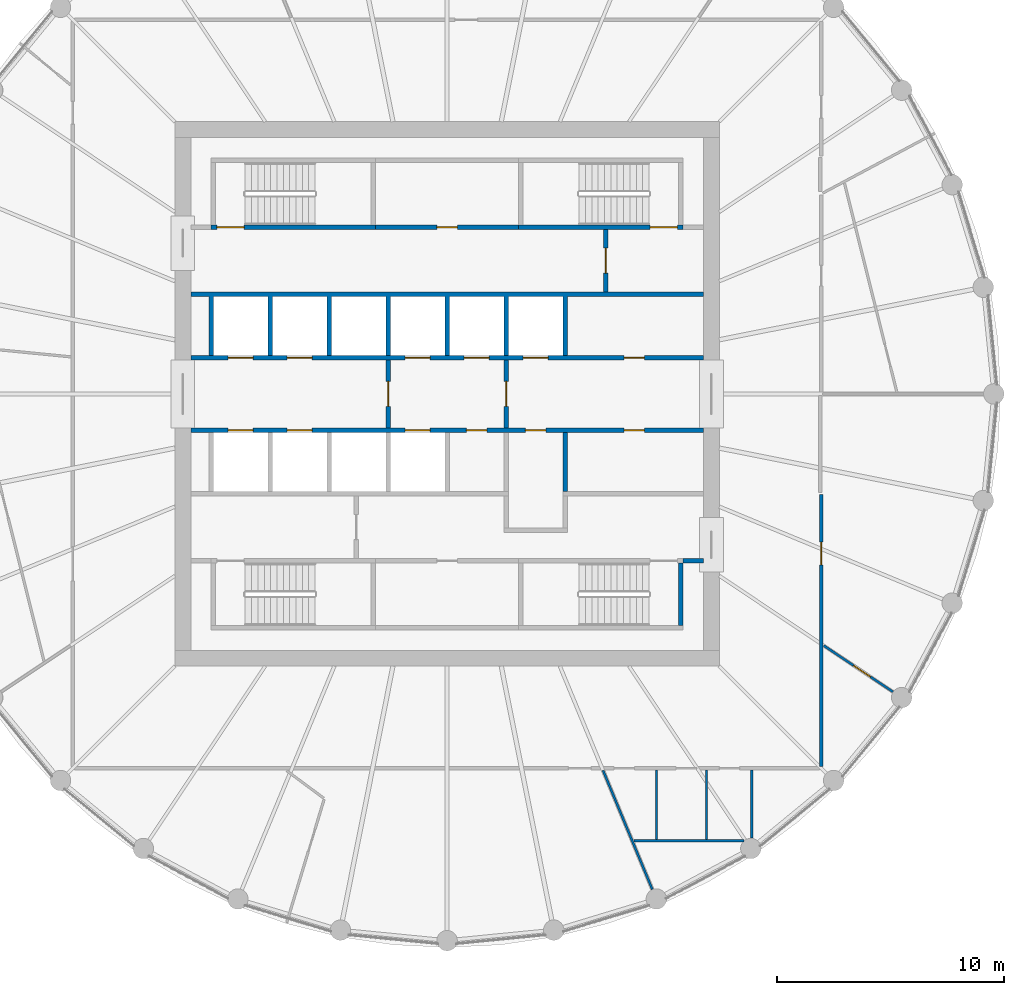
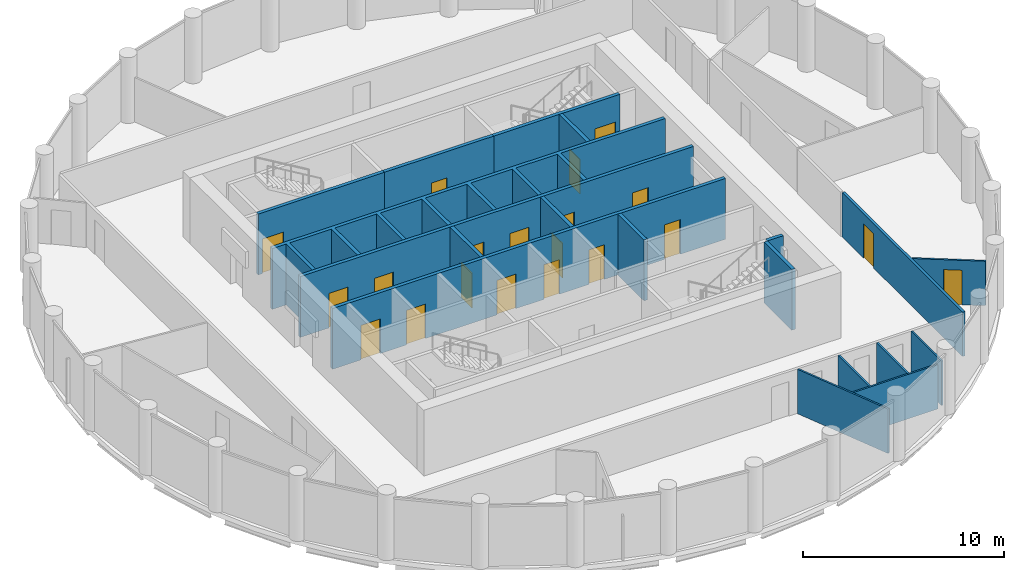
# One storey, part 5 of 7: 20 doors, 19 walls, 20 openings.
"""IFC4 building model written with IfcOpenShell, lengths in metres."""

import ifcopenshell
import ifcopenshell.guid

model = None  # the IFC model being written
_history = None  # IfcOwnerHistory: only IFC2X3 demands one
_inside = {}  # id of a spatial element -> (the spatial element, [elements in it])
_under = {}  # id of a project, library or spatial element -> (it, [spatial elements below it])
_declared = {}  # id of a project -> (the project, [libraries it declares])
_typed = {}  # id of a type object -> (the type object, [elements of that type])
_made_of = {}  # id of a material, layer set ... -> (it, [elements and type objects made of it])


def new_model(schema):
    """Start an empty IFC model of exactly this schema.

    Asked for "IFC4X3", IfcOpenShell would pick the latest addendum, in which some entities
    have other attributes; the version numbers below select the first issue.
    IFC2X3 requires an IfcOwnerHistory on every rooted entity: one is made here for all.
    """
    global model, _history
    if schema == "IFC4X3":
        model = ifcopenshell.file(schema_version=(4, 3, 0, 0))
    else:
        model = ifcopenshell.file(schema=schema)
    _inside.clear()
    _under.clear()
    _declared.clear()
    _typed.clear()
    _made_of.clear()
    _history = None
    if model.schema == "IFC2X3":
        org = make("IfcOrganization", Name="unknown")
        user = make(
            "IfcPersonAndOrganization",
            ThePerson=make("IfcPerson", FamilyName="unknown"),
            TheOrganization=org,
        )
        app = make(
            "IfcApplication",
            ApplicationDeveloper=org,
            Version="unknown",
            ApplicationFullName="unknown",
            ApplicationIdentifier="unknown",
        )
        _history = make(
            "IfcOwnerHistory",
            OwningUser=user,
            OwningApplication=app,
            ChangeAction="ADDED",
            CreationDate=0,
        )
    return model


def make(cls, **values):
    """One entity of the class cls with the attributes given. An attribute that is None is left unset."""
    return model.create_entity(
        cls, **{name: value for name, value in values.items() if value is not None}
    )


def rooted(cls, **values):
    """An entity with a GlobalId (a new one), such as an element, a storey or a relation."""
    return make(cls, GlobalId=ifcopenshell.guid.new(), OwnerHistory=_history, **values)


def si_unit(unit_type, name, prefix=None):
    """IfcSIUnit, for example si_unit("LENGTHUNIT", "METRE", prefix="MILLI")."""
    return make("IfcSIUnit", UnitType=unit_type, Prefix=prefix, Name=name)


def assignment(units):
    """IfcUnitAssignment: the units of a project."""
    return None if units is None else make("IfcUnitAssignment", Units=units)


def point(xyz):
    """IfcCartesianPoint."""
    return None if xyz is None else make("IfcCartesianPoint", Coordinates=xyz)


def direction(xyz):
    """IfcDirection."""
    return None if xyz is None else make("IfcDirection", DirectionRatios=xyz)


def frame(location, z_axis=None, x_axis=None):
    """IfcAxis2Placement3D, a coordinate frame: its origin and axes. An axis left out is left unset."""
    return make(
        "IfcAxis2Placement3D",
        Location=point(location),
        Axis=direction(z_axis),
        RefDirection=direction(x_axis),
    )


def frame_2d(location, x_axis=None):
    """IfcAxis2Placement2D, a coordinate frame in the plane: its origin and x axis."""
    return make(
        "IfcAxis2Placement2D", Location=point(location), RefDirection=direction(x_axis)
    )


def origin():
    """The frame at (0, 0, 0) with its axes left unset."""
    return frame((0.0, 0.0, 0.0))


def place(relative_to, where):
    """IfcLocalPlacement: puts the frame where relative to a parent placement (None: the world)."""
    return make(
        "IfcLocalPlacement", PlacementRelTo=relative_to, RelativePlacement=where
    )


def context(
    kind, dimensions, precision=None, world=None, true_north=None, identifier=None
):
    """IfcGeometricRepresentationContext, for example the 3D "Model" context."""
    return make(
        "IfcGeometricRepresentationContext",
        ContextIdentifier=identifier,
        ContextType=kind,
        CoordinateSpaceDimension=dimensions,
        Precision=precision,
        WorldCoordinateSystem=world,
        TrueNorth=true_north,
    )


def subcontext(parent, identifier, kind, view, scale=None):
    """IfcGeometricRepresentationSubContext, for example "Body" below "Model"."""
    return make(
        "IfcGeometricRepresentationSubContext",
        ContextIdentifier=identifier,
        ContextType=kind,
        ParentContext=parent,
        TargetScale=scale,
        TargetView=view,
    )


def project(units=None, contexts=None):
    """IfcProject with its units and contexts."""
    return rooted(
        "IfcProject",
        Name="project",
        RepresentationContexts=contexts,
        UnitsInContext=assignment(units),
    )


def spatial(cls, under=None, at=None, **own):
    """A site, building, storey or space (cls), placed at a placement, below another one or the project."""
    s = rooted(cls, ObjectPlacement=at, **own)
    if under is not None:
        _under.setdefault(under.id(), (under, []))[1].append(s)
    return s


def polyline(points):
    """IfcPolyline through the points."""
    return make("IfcPolyline", Points=[point(p) for p in points])


def profile(cls, at=None, kind="AREA", **sizes):
    """A parametric profile (cls). Its sizes go by their IFC names, for example OverallWidth=200.0."""
    return make(cls, ProfileType=kind, Position=at, **sizes)


def rectangle(**sizes):
    """IfcRectangleProfileDef."""
    return profile("IfcRectangleProfileDef", **sizes)


def outline(outer, holes=None, kind="AREA"):
    """IfcArbitraryClosedProfileDef: a profile drawn as a closed curve; with holes, ...WithVoids."""
    if holes is None:
        return make("IfcArbitraryClosedProfileDef", ProfileType=kind, OuterCurve=outer)
    return make(
        "IfcArbitraryProfileDefWithVoids",
        ProfileType=kind,
        OuterCurve=outer,
        InnerCurves=holes,
    )


def extrude(swept, where, along, depth):
    """IfcExtrudedAreaSolid: the profile swept, set in the frame where, extruded along a direction by depth."""
    return make(
        "IfcExtrudedAreaSolid",
        SweptArea=swept,
        Position=where,
        ExtrudedDirection=direction(along),
        Depth=depth,
    )


def shape(context_of_items, identifier, shape_type, items):
    """IfcShapeRepresentation: the items that make up one representation, for example the "Body"."""
    return make(
        "IfcShapeRepresentation",
        ContextOfItems=context_of_items,
        RepresentationIdentifier=identifier,
        RepresentationType=shape_type,
        Items=items,
    )


def material(Name=None, Category=None):
    """IfcMaterial."""
    return make("IfcMaterial", Name=Name, Category=Category)


def layer(
    of_material, thickness, ventilated=None, Name=None, Category=None, Priority=None
):
    """IfcMaterialLayer: one layer of a wall or slab, of a material (None: an air gap)."""
    return make(
        "IfcMaterialLayer",
        Material=of_material,
        LayerThickness=thickness,
        IsVentilated=ventilated,
        Name=Name,
        Category=Category,
        Priority=Priority,
    )


def layer_set(layers, Name=None):
    """IfcMaterialLayerSet."""
    return make("IfcMaterialLayerSet", MaterialLayers=layers, LayerSetName=Name)


def made_of(thing, what):
    """Note that an element or type object is made of a material, layer set ...; save() writes the relation."""
    if what is not None:
        _made_of.setdefault(what.id(), (what, []))[1].append(thing)
    return thing


def type_object(cls, material=None, **own):
    """A type object (cls), such as IfcWallType, which elements share."""
    return made_of(rooted(cls, **own), material)


def element(
    cls,
    number,
    at=None,
    inside=None,
    cuts=None,
    type_object=None,
    material=None,
    context=None,
    identifier="Body",
    shape_type=None,
    held_by="IfcProductDefinitionShape",
    body=None,
    shapes=None,
    **own,
):
    """One element of the class cls, such as IfcWall. Its Tag is "e" and its number.

    at: its placement. inside: the storey or other place that contains it. cuts: it is an
    opening in that element (IfcRelVoidsElement). A single representation is given by context,
    identifier, shape_type and body (its items); several are given by shapes. held_by: the class
    of the entity that holds the representations. save() writes the other relations.
    """
    e = rooted(cls, Tag="e%d" % number, ObjectPlacement=at, **own)
    if body is not None:
        shapes = [shape(context, identifier, shape_type, body)]
    if shapes is not None:
        e.Representation = make(held_by, Representations=shapes)
    if inside is not None:
        _inside.setdefault(inside.id(), (inside, []))[1].append(e)
    if cuts is not None:
        rooted(
            "IfcRelVoidsElement", RelatingBuildingElement=cuts, RelatedOpeningElement=e
        )
    if type_object is not None:
        _typed.setdefault(type_object.id(), (type_object, []))[1].append(e)
    return made_of(e, material)


def fill(opening, filler):
    """IfcRelFillsElement: the door or window that sits in an opening."""
    return rooted(
        "IfcRelFillsElement",
        RelatingOpeningElement=opening,
        RelatedBuildingElement=filler,
    )


def aggregate(whole, parts):
    """IfcRelAggregates: a whole, such as a stair, and the parts it consists of."""
    return rooted("IfcRelAggregates", RelatingObject=whole, RelatedObjects=parts)


def save(model, path):
    """Write the relations noted so far, then the file.

    IfcRelAggregates (storeys below a building ...), IfcRelContainedInSpatialStructure (elements
    in a storey), IfcRelDefinesByType, IfcRelAssociatesMaterial and IfcRelDeclares: one each for
    every whole, place, type object, material and project.
    """
    for whole, parts in _under.values():
        aggregate(whole, parts)
    for where, things in _inside.values():
        rooted(
            "IfcRelContainedInSpatialStructure",
            RelatedElements=things,
            RelatingStructure=where,
        )
    for kind, things in _typed.values():
        rooted("IfcRelDefinesByType", RelatedObjects=things, RelatingType=kind)
    for what, things in _made_of.values():
        rooted("IfcRelAssociatesMaterial", RelatedObjects=things, RelatingMaterial=what)
    for by, libraries in _declared.values():
        rooted("IfcRelDeclares", RelatingContext=by, RelatedDefinitions=libraries)
    model.write(path)


model = new_model("IFC4")

# Units and contexts
model_context = context("Model", 3, precision=1e-05, world=origin(), true_north=direction((0.0, 1.0)))
body_context = subcontext(model_context, "Body", "Model", "MODEL_VIEW")
ifc_project = project(units=[si_unit("LENGTHUNIT", "METRE"), si_unit("AREAUNIT", "SQUARE_METRE"), si_unit("VOLUMEUNIT", "CUBIC_METRE"), si_unit("PLANEANGLEUNIT", "RADIAN"), si_unit("MASSUNIT", "GRAM", prefix="KILO")], contexts=[model_context])

# Site, building, storey
site_placement = place(None, origin())
site = spatial("IfcSite", under=ifc_project, at=site_placement, CompositionType="ELEMENT")
building_placement = place(site_placement, origin())
building = spatial("IfcBuilding", under=site, at=building_placement, Name="Corvane Civic Tower", CompositionType="ELEMENT")
storey_placement = place(building_placement, frame((0.0, 0.0, 267.0)))
storey = spatial("IfcBuildingStorey", under=building, at=storey_placement, Name="L63", CompositionType="ELEMENT", Elevation=267.0)

# Wall, openings, doors
ifc_material_1 = material(Name="Concrete C30/37", Category="concrete")
ifc_layer_1 = layer(ifc_material_1, 0.199951171875)
ifc_layer_set_1 = layer_set([ifc_layer_1], Name="Concrete C30/37")
wall_type_1 = type_object("IfcWallType", Name="CR-WALL-200", PredefinedType="PARTITIONING", material=ifc_layer_set_1)
wall_1_placement = place(storey_placement, frame((-11.300048828125, -1.60009765625, 0.0), z_axis=(0.0, 0.0, 1.0), x_axis=(1.0, 0.0, 0.0)))
wall_1 = element("IfcWall", 1, at=wall_1_placement, inside=storey, type_object=wall_type_1, Name="L63 lift shaft wall", PredefinedType="PARTITIONING", context=body_context, shape_type="SweptSolid", body=[
    extrude(rectangle(XDim=22.60009765625, YDim=0.199951171875, at=frame_2d((11.300048828125, 0.0))), origin(), (0.0, 0.0, 1.0), 3.699951171875),
])
opening_1_placement = place(wall_1_placement, frame((1.64990234375, 0.0, 0.0)))
opening_1 = element("IfcOpeningElement", 2, at=opening_1_placement, cuts=wall_1, Name="Opening LD", PredefinedType="OPENING", context=body_context, shape_type="SweptSolid", body=[
    extrude(rectangle(XDim=1.10009765625, YDim=2.10009765625, at=frame_2d((0.550048828125, 1.050048828125))), frame((0.0, 0.10986328125, 0.0), z_axis=(0.0, -1.0, 0.0), x_axis=(1.0, 0.0, 0.0)), (0.0, 0.0, 1.0), 0.219970703125),
])
opening_2_placement = place(wall_1_placement, frame((4.25, 0.0, 0.0)))
opening_2 = element("IfcOpeningElement", 3, at=opening_2_placement, cuts=wall_1, Name="Opening LD", PredefinedType="OPENING", context=body_context, shape_type="SweptSolid", body=[
    extrude(rectangle(XDim=1.10009765625, YDim=2.10009765625, at=frame_2d((0.550048828125, 1.050048828125))), frame((0.0, 0.10986328125, 0.0), z_axis=(0.0, -1.0, 0.0), x_axis=(1.0, 0.0, 0.0)), (0.0, 0.0, 1.0), 0.219970703125),
])
opening_3_placement = place(wall_1_placement, frame((9.449951171875, 0.0, 0.0)))
opening_3 = element("IfcOpeningElement", 4, at=opening_3_placement, cuts=wall_1, Name="Opening LD", PredefinedType="OPENING", context=body_context, shape_type="SweptSolid", body=[
    extrude(rectangle(XDim=1.10009765625, YDim=2.10009765625, at=frame_2d((0.550048828125, 1.050048828125))), frame((0.0, 0.10986328125, 0.0), z_axis=(0.0, -1.0, 0.0), x_axis=(1.0, 0.0, 0.0)), (0.0, 0.0, 1.0), 0.219970703125),
])
opening_4_placement = place(wall_1_placement, frame((12.14990234375, 0.0, 0.0)))
opening_4 = element("IfcOpeningElement", 5, at=opening_4_placement, cuts=wall_1, Name="Opening L63.C02", PredefinedType="OPENING", context=body_context, shape_type="SweptSolid", body=[
    extrude(rectangle(XDim=0.89990234375, YDim=2.10009765625, at=frame_2d((0.449951171875, 1.050048828125))), frame((0.0, 0.10986328125, 0.0), z_axis=(0.0, -1.0, 0.0), x_axis=(1.0, 0.0, 0.0)), (0.0, 0.0, 1.0), 0.219970703125),
])
opening_5_placement = place(wall_1_placement, frame((14.75, 0.0, 0.0)))
opening_5 = element("IfcOpeningElement", 6, at=opening_5_placement, cuts=wall_1, Name="Opening L63.C03", PredefinedType="OPENING", context=body_context, shape_type="SweptSolid", body=[
    extrude(rectangle(XDim=0.89990234375, YDim=2.10009765625, at=frame_2d((0.449951171875, 1.050048828125))), frame((0.0, 0.10986328125, 0.0), z_axis=(0.0, -1.0, 0.0), x_axis=(1.0, 0.0, 0.0)), (0.0, 0.0, 1.0), 0.219970703125),
])
opening_6_placement = place(wall_1_placement, frame((19.10009765625, 0.0, 0.0)))
opening_6 = element("IfcOpeningElement", 7, at=opening_6_placement, cuts=wall_1, Name="Opening L63.C04", PredefinedType="OPENING", context=body_context, shape_type="SweptSolid", body=[
    extrude(rectangle(XDim=0.89990234375, YDim=2.10009765625, at=frame_2d((0.449951171875, 1.050048828125))), frame((0.0, 0.10986328125, 0.0), z_axis=(0.0, -1.0, 0.0), x_axis=(1.0, 0.0, 0.0)), (0.0, 0.0, 1.0), 0.219970703125),
])
ifc_material_2 = material(Name="Steel fire door leaf", Category="steel")
door_type_1 = type_object("IfcDoorType", Name="CR-DOOR-900", OperationType="SINGLE_SWING_LEFT", PredefinedType="DOOR", material=ifc_material_2)
door_1_placement = place(opening_4_placement, origin())
door_1 = element("IfcDoor", 8, at=door_1_placement, inside=storey, type_object=door_type_1, Name="L63 door", OperationType="SINGLE_SWING_LEFT", OverallHeight=2.10009765625, OverallWidth=0.89990234375, PredefinedType="DOOR", context=body_context, shape_type="SweptSolid", body=[
    extrude(rectangle(XDim=0.89990234375, YDim=2.10009765625, at=frame_2d((0.449951171875, 1.050048828125))), frame((0.0, 0.02490234375, 0.0), z_axis=(0.0, -1.0, 0.0), x_axis=(1.0, 0.0, 0.0)), (0.0, 0.0, 1.0), 0.050048828125),
])
fill(opening_4, door_1)
door_2_placement = place(opening_5_placement, origin())
door_2 = element("IfcDoor", 9, at=door_2_placement, inside=storey, type_object=door_type_1, Name="L63 door", OperationType="SINGLE_SWING_LEFT", OverallHeight=2.10009765625, OverallWidth=0.89990234375, PredefinedType="DOOR", context=body_context, shape_type="SweptSolid", body=[
    extrude(rectangle(XDim=0.89990234375, YDim=2.10009765625, at=frame_2d((0.449951171875, 1.050048828125))), frame((0.0, 0.02490234375, 0.0), z_axis=(0.0, -1.0, 0.0), x_axis=(1.0, 0.0, 0.0)), (0.0, 0.0, 1.0), 0.050048828125),
])
fill(opening_5, door_2)
door_3_placement = place(opening_6_placement, origin())
door_3 = element("IfcDoor", 10, at=door_3_placement, inside=storey, type_object=door_type_1, Name="L63 door", OperationType="SINGLE_SWING_LEFT", OverallHeight=2.10009765625, OverallWidth=0.89990234375, PredefinedType="DOOR", context=body_context, shape_type="SweptSolid", body=[
    extrude(rectangle(XDim=0.89990234375, YDim=2.10009765625, at=frame_2d((0.449951171875, 1.050048828125))), frame((0.0, 0.02490234375, 0.0), z_axis=(0.0, -1.0, 0.0), x_axis=(1.0, 0.0, 0.0)), (0.0, 0.0, 1.0), 0.050048828125),
])
fill(opening_6, door_3)
ifc_material_3 = material(Name="Stainless steel 316 door leaves", Category="steel")
door_type_2 = type_object("IfcDoorType", Name="LD", OperationType="DOUBLE_DOOR_SLIDING", PredefinedType="DOOR", material=ifc_material_3)
door_4_placement = place(opening_1_placement, origin())
door_4 = element("IfcDoor", 11, at=door_4_placement, inside=storey, type_object=door_type_2, Name="L63 landing door", OperationType="DOUBLE_DOOR_SLIDING", OverallHeight=2.10009765625, OverallWidth=1.10009765625, PredefinedType="DOOR", context=body_context, shape_type="SweptSolid", body=[
    extrude(rectangle(XDim=1.10009765625, YDim=2.10009765625, at=frame_2d((0.550048828125, 1.050048828125))), frame((0.0, 0.02490234375, 0.0), z_axis=(0.0, -1.0, 0.0), x_axis=(1.0, 0.0, 0.0)), (0.0, 0.0, 1.0), 0.050048828125),
])
fill(opening_1, door_4)
door_5_placement = place(opening_2_placement, origin())
door_5 = element("IfcDoor", 12, at=door_5_placement, inside=storey, type_object=door_type_2, Name="L63 landing door", OperationType="DOUBLE_DOOR_SLIDING", OverallHeight=2.10009765625, OverallWidth=1.10009765625, PredefinedType="DOOR", context=body_context, shape_type="SweptSolid", body=[
    extrude(rectangle(XDim=1.10009765625, YDim=2.10009765625, at=frame_2d((0.550048828125, 1.050048828125))), frame((0.0, 0.02490234375, 0.0), z_axis=(0.0, -1.0, 0.0), x_axis=(1.0, 0.0, 0.0)), (0.0, 0.0, 1.0), 0.050048828125),
])
fill(opening_2, door_5)
door_6_placement = place(opening_3_placement, origin())
door_6 = element("IfcDoor", 13, at=door_6_placement, inside=storey, type_object=door_type_2, Name="L63 landing door", OperationType="DOUBLE_DOOR_SLIDING", OverallHeight=2.10009765625, OverallWidth=1.10009765625, PredefinedType="DOOR", context=body_context, shape_type="SweptSolid", body=[
    extrude(rectangle(XDim=1.10009765625, YDim=2.10009765625, at=frame_2d((0.550048828125, 1.050048828125))), frame((0.0, 0.02490234375, 0.0), z_axis=(0.0, -1.0, 0.0), x_axis=(1.0, 0.0, 0.0)), (0.0, 0.0, 1.0), 0.050048828125),
])
fill(opening_3, door_6)

wall_2_placement = place(storey_placement, frame((-11.300048828125, 1.60009765625, 0.0), z_axis=(0.0, 0.0, 1.0), x_axis=(1.0, 0.0, 0.0)))
wall_2 = element("IfcWall", 14, at=wall_2_placement, inside=storey, type_object=wall_type_1, Name="L63 lift shaft wall", PredefinedType="PARTITIONING", context=body_context, shape_type="SweptSolid", body=[
    extrude(rectangle(XDim=22.60009765625, YDim=0.199951171875, at=frame_2d((11.300048828125, 0.0))), origin(), (0.0, 0.0, 1.0), 3.699951171875),
])
opening_7_placement = place(wall_2_placement, frame((1.64990234375, 0.0, 0.0)))
opening_7 = element("IfcOpeningElement", 15, at=opening_7_placement, cuts=wall_2, Name="Opening LD", PredefinedType="OPENING", context=body_context, shape_type="SweptSolid", body=[
    extrude(rectangle(XDim=1.10009765625, YDim=2.10009765625, at=frame_2d((0.550048828125, 1.050048828125))), frame((0.0, 0.10986328125, 0.0), z_axis=(0.0, -1.0, 0.0), x_axis=(1.0, 0.0, 0.0)), (0.0, 0.0, 1.0), 0.219970703125),
])
opening_8_placement = place(wall_2_placement, frame((4.25, 0.0, 0.0)))
opening_8 = element("IfcOpeningElement", 16, at=opening_8_placement, cuts=wall_2, Name="Opening LD", PredefinedType="OPENING", context=body_context, shape_type="SweptSolid", body=[
    extrude(rectangle(XDim=1.10009765625, YDim=2.10009765625, at=frame_2d((0.550048828125, 1.050048828125))), frame((0.0, 0.10986328125, 0.0), z_axis=(0.0, -1.0, 0.0), x_axis=(1.0, 0.0, 0.0)), (0.0, 0.0, 1.0), 0.219970703125),
])
opening_9_placement = place(wall_2_placement, frame((9.449951171875, 0.0, 0.0)))
opening_9 = element("IfcOpeningElement", 17, at=opening_9_placement, cuts=wall_2, Name="Opening LD", PredefinedType="OPENING", context=body_context, shape_type="SweptSolid", body=[
    extrude(rectangle(XDim=1.10009765625, YDim=2.10009765625, at=frame_2d((0.550048828125, 1.050048828125))), frame((0.0, 0.10986328125, 0.0), z_axis=(0.0, -1.0, 0.0), x_axis=(1.0, 0.0, 0.0)), (0.0, 0.0, 1.0), 0.219970703125),
])
opening_10_placement = place(wall_2_placement, frame((12.050048828125, 0.0, 0.0)))
opening_10 = element("IfcOpeningElement", 18, at=opening_10_placement, cuts=wall_2, Name="Opening LD", PredefinedType="OPENING", context=body_context, shape_type="SweptSolid", body=[
    extrude(rectangle(XDim=1.10009765625, YDim=2.10009765625, at=frame_2d((0.550048828125, 1.050048828125))), frame((0.0, 0.10986328125, 0.0), z_axis=(0.0, -1.0, 0.0), x_axis=(1.0, 0.0, 0.0)), (0.0, 0.0, 1.0), 0.219970703125),
])
opening_11_placement = place(wall_2_placement, frame((14.64990234375, 0.0, 0.0)))
opening_11 = element("IfcOpeningElement", 19, at=opening_11_placement, cuts=wall_2, Name="Opening LD", PredefinedType="OPENING", context=body_context, shape_type="SweptSolid", body=[
    extrude(rectangle(XDim=1.10009765625, YDim=2.10009765625, at=frame_2d((0.550048828125, 1.050048828125))), frame((0.0, 0.10986328125, 0.0), z_axis=(0.0, -1.0, 0.0), x_axis=(1.0, 0.0, 0.0)), (0.0, 0.0, 1.0), 0.219970703125),
])
opening_12_placement = place(wall_2_placement, frame((19.10009765625, 0.0, 0.0)))
opening_12 = element("IfcOpeningElement", 20, at=opening_12_placement, cuts=wall_2, Name="Opening L63.C01", PredefinedType="OPENING", context=body_context, shape_type="SweptSolid", body=[
    extrude(rectangle(XDim=0.89990234375, YDim=2.10009765625, at=frame_2d((0.449951171875, 1.050048828125))), frame((0.0, 0.10986328125, 0.0), z_axis=(0.0, -1.0, 0.0), x_axis=(1.0, 0.0, 0.0)), (0.0, 0.0, 1.0), 0.219970703125),
])
door_7_placement = place(opening_12_placement, origin())
door_7 = element("IfcDoor", 21, at=door_7_placement, inside=storey, type_object=door_type_1, Name="L63 door", OperationType="SINGLE_SWING_LEFT", OverallHeight=2.10009765625, OverallWidth=0.89990234375, PredefinedType="DOOR", context=body_context, shape_type="SweptSolid", body=[
    extrude(rectangle(XDim=0.89990234375, YDim=2.10009765625, at=frame_2d((0.449951171875, 1.050048828125))), frame((0.0, 0.02490234375, 0.0), z_axis=(0.0, -1.0, 0.0), x_axis=(1.0, 0.0, 0.0)), (0.0, 0.0, 1.0), 0.050048828125),
])
fill(opening_12, door_7)
door_8_placement = place(opening_7_placement, origin())
door_8 = element("IfcDoor", 22, at=door_8_placement, inside=storey, type_object=door_type_2, Name="L63 landing door", OperationType="DOUBLE_DOOR_SLIDING", OverallHeight=2.10009765625, OverallWidth=1.10009765625, PredefinedType="DOOR", context=body_context, shape_type="SweptSolid", body=[
    extrude(rectangle(XDim=1.10009765625, YDim=2.10009765625, at=frame_2d((0.550048828125, 1.050048828125))), frame((0.0, 0.02490234375, 0.0), z_axis=(0.0, -1.0, 0.0), x_axis=(1.0, 0.0, 0.0)), (0.0, 0.0, 1.0), 0.050048828125),
])
fill(opening_7, door_8)
door_9_placement = place(opening_8_placement, origin())
door_9 = element("IfcDoor", 23, at=door_9_placement, inside=storey, type_object=door_type_2, Name="L63 landing door", OperationType="DOUBLE_DOOR_SLIDING", OverallHeight=2.10009765625, OverallWidth=1.10009765625, PredefinedType="DOOR", context=body_context, shape_type="SweptSolid", body=[
    extrude(rectangle(XDim=1.10009765625, YDim=2.10009765625, at=frame_2d((0.550048828125, 1.050048828125))), frame((0.0, 0.02490234375, 0.0), z_axis=(0.0, -1.0, 0.0), x_axis=(1.0, 0.0, 0.0)), (0.0, 0.0, 1.0), 0.050048828125),
])
fill(opening_8, door_9)
door_10_placement = place(opening_9_placement, origin())
door_10 = element("IfcDoor", 24, at=door_10_placement, inside=storey, type_object=door_type_2, Name="L63 landing door", OperationType="DOUBLE_DOOR_SLIDING", OverallHeight=2.10009765625, OverallWidth=1.10009765625, PredefinedType="DOOR", context=body_context, shape_type="SweptSolid", body=[
    extrude(rectangle(XDim=1.10009765625, YDim=2.10009765625, at=frame_2d((0.550048828125, 1.050048828125))), frame((0.0, 0.02490234375, 0.0), z_axis=(0.0, -1.0, 0.0), x_axis=(1.0, 0.0, 0.0)), (0.0, 0.0, 1.0), 0.050048828125),
])
fill(opening_9, door_10)
door_11_placement = place(opening_10_placement, origin())
door_11 = element("IfcDoor", 25, at=door_11_placement, inside=storey, type_object=door_type_2, Name="L63 landing door", OperationType="DOUBLE_DOOR_SLIDING", OverallHeight=2.10009765625, OverallWidth=1.10009765625, PredefinedType="DOOR", context=body_context, shape_type="SweptSolid", body=[
    extrude(rectangle(XDim=1.10009765625, YDim=2.10009765625, at=frame_2d((0.550048828125, 1.050048828125))), frame((0.0, 0.02490234375, 0.0), z_axis=(0.0, -1.0, 0.0), x_axis=(1.0, 0.0, 0.0)), (0.0, 0.0, 1.0), 0.050048828125),
])
fill(opening_10, door_11)
door_12_placement = place(opening_11_placement, origin())
door_12 = element("IfcDoor", 26, at=door_12_placement, inside=storey, type_object=door_type_2, Name="L63 landing door", OperationType="DOUBLE_DOOR_SLIDING", OverallHeight=2.10009765625, OverallWidth=1.10009765625, PredefinedType="DOOR", context=body_context, shape_type="SweptSolid", body=[
    extrude(rectangle(XDim=1.10009765625, YDim=2.10009765625, at=frame_2d((0.550048828125, 1.050048828125))), frame((0.0, 0.02490234375, 0.0), z_axis=(0.0, -1.0, 0.0), x_axis=(1.0, 0.0, 0.0)), (0.0, 0.0, 1.0), 0.050048828125),
])
fill(opening_11, door_12)

# Wall, opening, door
wall_3_placement = place(storey_placement, frame((-3.14990234375, 7.35009765625, 0.0), z_axis=(0.0, 0.0, 1.0), x_axis=(1.0, 0.0, 0.0)))
wall_3 = element("IfcWall", 27, at=wall_3_placement, inside=storey, type_object=wall_type_1, Name="L63 core partition wall", PredefinedType="PARTITIONING", context=body_context, shape_type="SweptSolid", body=[
    extrude(rectangle(XDim=6.2998046875, YDim=0.199951171875, at=frame_2d((3.14990234375, 0.0))), origin(), (0.0, 0.0, 1.0), 3.699951171875),
])
opening_13_placement = place(wall_3_placement, frame((2.699951171875, 0.0, 0.0)))
opening_13 = element("IfcOpeningElement", 28, at=opening_13_placement, cuts=wall_3, Name="Opening L63.C05", PredefinedType="OPENING", context=body_context, shape_type="SweptSolid", body=[
    extrude(rectangle(XDim=0.89990234375, YDim=2.10009765625, at=frame_2d((0.449951171875, 1.050048828125))), frame((0.0, 0.10986328125, 0.0), z_axis=(0.0, -1.0, 0.0), x_axis=(1.0, 0.0, 0.0)), (0.0, 0.0, 1.0), 0.219970703125),
])
door_13_placement = place(opening_13_placement, origin())
door_13 = element("IfcDoor", 29, at=door_13_placement, inside=storey, type_object=door_type_1, Name="L63 door", OperationType="SINGLE_SWING_LEFT", OverallHeight=2.10009765625, OverallWidth=0.89990234375, PredefinedType="DOOR", context=body_context, shape_type="SweptSolid", body=[
    extrude(rectangle(XDim=0.89990234375, YDim=2.10009765625, at=frame_2d((0.449951171875, 1.050048828125))), frame((0.0, 0.02490234375, 0.0), z_axis=(0.0, -1.0, 0.0), x_axis=(1.0, 0.0, 0.0)), (0.0, 0.0, 1.0), 0.050048828125),
])
fill(opening_13, door_13)

wall_4_placement = place(storey_placement, frame((-2.60009765625, -1.5, 0.0), z_axis=(0.0, 0.0, 1.0), x_axis=(0.0, 1.0, 0.0)))
wall_4 = element("IfcWall", 30, at=wall_4_placement, inside=storey, type_object=wall_type_1, Name="L63 firefighting lobby wall", PredefinedType="PARTITIONING", context=body_context, shape_type="SweptSolid", body=[
    extrude(rectangle(XDim=3.0, YDim=0.199951171875, at=frame_2d((1.5, 0.0))), origin(), (0.0, 0.0, 1.0), 3.699951171875),
])
opening_14_placement = place(wall_4_placement, frame((0.949951171875, 0.0, 0.0)))
opening_14 = element("IfcOpeningElement", 31, at=opening_14_placement, cuts=wall_4, Name="Opening L63.C11", PredefinedType="OPENING", context=body_context, shape_type="SweptSolid", body=[
    extrude(rectangle(XDim=1.10009765625, YDim=2.10009765625, at=frame_2d((0.550048828125, 1.050048828125))), frame((0.0, 0.10986328125, 0.0), z_axis=(0.0, -1.0, 0.0), x_axis=(1.0, 0.0, 0.0)), (0.0, 0.0, 1.0), 0.219970703125),
])
ifc_material_4 = material(Name="Steel fire door leaf", Category="steel")
door_type_3 = type_object("IfcDoorType", Name="CR-DOOR-FFL-1100", OperationType="SINGLE_SWING_LEFT", PredefinedType="DOOR", material=ifc_material_4)
door_14_placement = place(opening_14_placement, origin())
door_14 = element("IfcDoor", 32, at=door_14_placement, inside=storey, type_object=door_type_3, Name="L63 lobby door", OperationType="SINGLE_SWING_LEFT", OverallHeight=2.10009765625, OverallWidth=1.10009765625, PredefinedType="DOOR", context=body_context, shape_type="SweptSolid", body=[
    extrude(rectangle(XDim=1.10009765625, YDim=2.10009765625, at=frame_2d((0.550048828125, 1.050048828125))), frame((0.0, 0.02490234375, 0.0), z_axis=(0.0, -1.0, 0.0), x_axis=(1.0, 0.0, 0.0)), (0.0, 0.0, 1.0), 0.050048828125),
])
fill(opening_14, door_14)

wall_5_placement = place(storey_placement, frame((2.60009765625, -1.5, 0.0), z_axis=(0.0, 0.0, 1.0), x_axis=(0.0, 1.0, 0.0)))
wall_5 = element("IfcWall", 33, at=wall_5_placement, inside=storey, type_object=wall_type_1, Name="L63 firefighting lobby wall", PredefinedType="PARTITIONING", context=body_context, shape_type="SweptSolid", body=[
    extrude(rectangle(XDim=3.0, YDim=0.199951171875, at=frame_2d((1.5, 0.0))), origin(), (0.0, 0.0, 1.0), 3.699951171875),
])
opening_15_placement = place(wall_5_placement, frame((0.949951171875, 0.0, 0.0)))
opening_15 = element("IfcOpeningElement", 34, at=opening_15_placement, cuts=wall_5, Name="Opening L63.C12", PredefinedType="OPENING", context=body_context, shape_type="SweptSolid", body=[
    extrude(rectangle(XDim=1.10009765625, YDim=2.10009765625, at=frame_2d((0.550048828125, 1.050048828125))), frame((0.0, 0.10986328125, 0.0), z_axis=(0.0, -1.0, 0.0), x_axis=(1.0, 0.0, 0.0)), (0.0, 0.0, 1.0), 0.219970703125),
])
door_15_placement = place(opening_15_placement, origin())
door_15 = element("IfcDoor", 35, at=door_15_placement, inside=storey, type_object=door_type_3, Name="L63 lobby door", OperationType="SINGLE_SWING_LEFT", OverallHeight=2.10009765625, OverallWidth=1.10009765625, PredefinedType="DOOR", context=body_context, shape_type="SweptSolid", body=[
    extrude(rectangle(XDim=1.10009765625, YDim=2.10009765625, at=frame_2d((0.550048828125, 1.050048828125))), frame((0.0, 0.02490234375, 0.0), z_axis=(0.0, -1.0, 0.0), x_axis=(1.0, 0.0, 0.0)), (0.0, 0.0, 1.0), 0.050048828125),
])
fill(opening_15, door_15)

wall_6_placement = place(storey_placement, frame((7.0, 4.5, 0.0), z_axis=(0.0, 0.0, 1.0), x_axis=(0.0, 1.0, 0.0)))
wall_6 = element("IfcWall", 36, at=wall_6_placement, inside=storey, type_object=wall_type_1, Name="L63 core partition wall", PredefinedType="PARTITIONING", context=body_context, shape_type="SweptSolid", body=[
    extrude(rectangle(XDim=2.75, YDim=0.199951171875, at=frame_2d((1.375, 0.0))), origin(), (0.0, 0.0, 1.0), 3.699951171875),
])
opening_16_placement = place(wall_6_placement, frame((0.824951171875, 0.0, 0.0)))
opening_16 = element("IfcOpeningElement", 37, at=opening_16_placement, cuts=wall_6, Name="Opening L63.C13", PredefinedType="OPENING", context=body_context, shape_type="SweptSolid", body=[
    extrude(rectangle(XDim=1.10009765625, YDim=2.10009765625, at=frame_2d((0.550048828125, 1.050048828125))), frame((0.0, 0.10986328125, 0.0), z_axis=(0.0, -1.0, 0.0), x_axis=(1.0, 0.0, 0.0)), (0.0, 0.0, 1.0), 0.219970703125),
])
door_16_placement = place(opening_16_placement, origin())
door_16 = element("IfcDoor", 38, at=door_16_placement, inside=storey, type_object=door_type_3, Name="L63 lobby door", OperationType="SINGLE_SWING_LEFT", OverallHeight=2.10009765625, OverallWidth=1.10009765625, PredefinedType="DOOR", context=body_context, shape_type="SweptSolid", body=[
    extrude(rectangle(XDim=1.10009765625, YDim=2.10009765625, at=frame_2d((0.550048828125, 1.050048828125))), frame((0.0, 0.02490234375, 0.0), z_axis=(0.0, -1.0, 0.0), x_axis=(1.0, 0.0, 0.0)), (0.0, 0.0, 1.0), 0.050048828125),
])
fill(opening_16, door_16)

# Walls
wall_7_placement = place(storey_placement, origin())
element("IfcWall", 39, at=wall_7_placement, inside=storey, type_object=wall_type_1, Name="L63 core partition wall", PredefinedType="PARTITIONING", context=body_context, shape_type="SweptSolid", body=[
    extrude(outline(polyline([(5.300048828125, -1.699951171875), (5.300048828125, -4.2998046875), (5.10009765625, -4.2998046875), (5.10009765625, -1.699951171875), (5.300048828125, -1.699951171875)])), origin(), (0.0, 0.0, 1.0), 3.699951171875),
])
wall_8_placement = place(storey_placement, origin())
element("IfcWall", 40, at=wall_8_placement, inside=storey, type_object=wall_type_1, Name="L63 core partition wall", PredefinedType="PARTITIONING", context=body_context, shape_type="SweptSolid", body=[
    extrude(outline(polyline([(0.10009765625, 1.699951171875), (-0.10009765625, 1.699951171875), (-0.10009765625, 4.300048828125), (-2.5, 4.300048828125), (-2.5, 1.699951171875), (-2.699951171875, 1.699951171875), (-2.699951171875, 4.300048828125), (-5.10009765625, 4.300048828125), (-5.10009765625, 1.699951171875), (-5.300048828125, 1.699951171875), (-5.300048828125, 4.300048828125), (-7.699951171875, 4.300048828125), (-7.699951171875, 1.699951171875), (-7.89990234375, 1.699951171875), (-7.89990234375, 4.300048828125), (-10.300048828125, 4.300048828125), (-10.300048828125, 1.699951171875), (-10.5, 1.699951171875), (-10.5, 4.300048828125), (-11.300048828125, 4.300048828125), (-11.300048828125, 4.5), (11.300048828125, 4.5), (11.300048828125, 4.300048828125), (5.300048828125, 4.300048828125), (5.300048828125, 1.699951171875), (5.10009765625, 1.699951171875), (5.10009765625, 4.300048828125), (2.699951171875, 4.300048828125), (2.699951171875, 1.699951171875), (2.5, 1.699951171875), (2.5, 4.300048828125), (0.10009765625, 4.300048828125), (0.10009765625, 1.699951171875)])), origin(), (0.0, 0.0, 1.0), 3.699951171875),
])
wall_9_placement = place(storey_placement, origin())
element("IfcWall", 41, at=wall_9_placement, inside=storey, type_object=wall_type_1, Name="L63 core partition wall", PredefinedType="PARTITIONING", context=body_context, shape_type="SweptSolid", body=[
    extrude(outline(polyline([(11.300048828125, -7.449951171875), (10.39990234375, -7.449951171875), (10.39990234375, -7.25), (11.300048828125, -7.25), (11.300048828125, -7.449951171875)])), origin(), (0.0, 0.0, 1.0), 3.699951171875),
])
ifc_material_5 = material(Name="Plasterboard")
ifc_layer_2 = layer(ifc_material_5, 0.10009765625)
ifc_layer_set_2 = layer_set([ifc_layer_2], Name="Plasterboard")
wall_type_2 = type_object("IfcWallType", Name="Partition 100 plasterboard on studs", PredefinedType="PARTITIONING", material=ifc_layer_set_2)
wall_10_placement = place(storey_placement, frame((6.87353515625, -16.593994140625, 0.0), z_axis=(0.0, 0.0, 1.0), x_axis=(0.382682139097, -0.9238800682, 0.0)))
element("IfcWall", 42, at=wall_10_placement, inside=storey, type_object=wall_type_2, Name="Partition L63.002", PredefinedType="PARTITIONING", context=body_context, shape_type="SweptSolid", body=[
    extrude(rectangle(XDim=5.6787109375, YDim=0.10009765625, at=frame_2d((2.83935546875, 0.0))), origin(), (0.0, 0.0, 1.0), 2.699951171875),
])
wall_11_placement = place(storey_placement, frame((8.23486328125, -19.699951171875, 0.0), z_axis=(0.0, 0.0, 1.0), x_axis=(1.0, 0.0, 0.0)))
element("IfcWall", 43, at=wall_11_placement, inside=storey, type_object=wall_type_2, Name="Partition L63.003", PredefinedType="PARTITIONING", context=body_context, shape_type="SweptSolid", body=[
    extrude(rectangle(XDim=4.843505859375, YDim=0.10009765625, at=frame_2d((2.421875, 0.0))), origin(), (0.0, 0.0, 1.0), 2.699951171875),
])
for number, where, z_axis, x_axis, name in (
    (44, (9.234619140625, -19.64990234375, 0.0), (0.0, 0.0, 1.0), (0.0, 1.0, 0.0), "Partition L63.004"),
    (45, (11.4345703125, -19.64990234375, 0.0), (0.0, 0.0, 1.0), (0.0, 1.0, 0.0), "Partition L63.005"),
):
    element("IfcWall", number, at=place(storey_placement, frame(where, z_axis=z_axis, x_axis=x_axis)), inside=storey, type_object=wall_type_2, Name=name, PredefinedType="PARTITIONING", context=body_context, shape_type="SweptSolid", body=[
        extrude(rectangle(XDim=3.074951171875, YDim=0.10009765625, at=frame_2d((1.53759765625, 0.0))), origin(), (0.0, 0.0, 1.0), 2.699951171875),
    ])
wall_12_placement = place(storey_placement, frame((13.4345703125, -19.58056640625, 0.0), z_axis=(0.0, 0.0, 1.0), x_axis=(0.0, 1.0, 0.0)))
element("IfcWall", 46, at=wall_12_placement, inside=storey, type_object=wall_type_2, Name="Partition L63.006", PredefinedType="PARTITIONING", context=body_context, shape_type="SweptSolid", body=[
    extrude(rectangle(XDim=3.005615234375, YDim=0.10009765625, at=frame_2d((1.5029296875, 0.0))), origin(), (0.0, 0.0, 1.0), 2.699951171875),
])

# Wall, opening, door
wall_13_placement = place(storey_placement, frame((16.602783203125, -11.093505859375, 0.0), z_axis=(0.0, 0.0, 1.0), x_axis=(0.831477046095, -0.555559107402, 0.0)))
wall_13 = element("IfcWall", 47, at=wall_13_placement, inside=storey, type_object=wall_type_2, Name="Partition L63.012", PredefinedType="PARTITIONING", context=body_context, shape_type="SweptSolid", body=[
    extrude(rectangle(XDim=3.672119140625, YDim=0.10009765625, at=frame_2d((1.8359375, 0.0))), origin(), (0.0, 0.0, 1.0), 2.699951171875),
])
opening_17_placement = place(wall_13_placement, frame((1.5791015625, 0.0, 0.0)))
opening_17 = element("IfcOpeningElement", 48, at=opening_17_placement, cuts=wall_13, Name="Opening L63.010", PredefinedType="OPENING", context=body_context, shape_type="SweptSolid", body=[
    extrude(rectangle(XDim=0.89990234375, YDim=2.10009765625, at=frame_2d((0.449951171875, 1.050048828125))), frame((0.0, 0.06005859375, 0.0), z_axis=(0.0, -1.0, 0.0), x_axis=(1.0, 0.0, 0.0)), (0.0, 0.0, 1.0), 0.1201171875),
])
ifc_material_6 = material(Name="Timber", Category="wood")
door_type_4 = type_object("IfcDoorType", Name="Single door 900", OperationType="NOTDEFINED", PredefinedType="DOOR", material=ifc_material_6)
door_17_placement = place(opening_17_placement, frame((0.89990234375, 0.0, 0.0), z_axis=(0.0, 0.0, 1.0), x_axis=(-1.0, 0.0, 0.0)))
door_17 = element("IfcDoor", 49, at=door_17_placement, inside=storey, type_object=door_type_4, Name="Door L63.010", OperationType="SINGLE_SWING_LEFT", OverallHeight=2.10009765625, OverallWidth=0.89990234375, PredefinedType="DOOR", context=body_context, shape_type="SweptSolid", body=[
    extrude(rectangle(XDim=0.89990234375, YDim=2.10009765625, at=frame_2d((0.449951171875, 1.050048828125))), frame((0.0, 0.02490234375, 0.0), z_axis=(0.0, -1.0, 0.0), x_axis=(1.0, 0.0, 0.0)), (0.0, 0.0, 1.0), 0.050048828125),
])
fill(opening_17, door_17)

ifc_material_7 = material(Name="Concrete C50/60", Category="concrete")
ifc_layer_3 = layer(ifc_material_7, 0.199951171875)
ifc_layer_set_3 = layer_set([ifc_layer_3], Name="Concrete C50/60")
wall_type_3 = type_object("IfcWallType", Name="ST-WALL-200", PredefinedType="SHEAR", material=ifc_layer_set_3)
wall_14_placement = place(storey_placement, frame((-10.39990234375, 7.35009765625, 0.0), z_axis=(0.0, 0.0, 1.0), x_axis=(1.0, 0.0, 0.0)))
wall_14 = element("IfcWall", 50, at=wall_14_placement, inside=storey, type_object=wall_type_3, Name="L63 stair enclosure wall", PredefinedType="SHEAR", context=body_context, shape_type="SweptSolid", body=[
    extrude(rectangle(XDim=7.25, YDim=0.199951171875, at=frame_2d((3.625, 0.0))), origin(), (0.0, 0.0, 1.0), 3.699951171875),
])
opening_18_placement = place(wall_14_placement, frame((0.25, 0.0, 0.0)))
opening_18 = element("IfcOpeningElement", 51, at=opening_18_placement, cuts=wall_14, Name="Opening L63.C08", PredefinedType="OPENING", context=body_context, shape_type="SweptSolid", body=[
    extrude(rectangle(XDim=1.199951171875, YDim=2.10009765625, at=frame_2d((0.60009765625, 1.050048828125))), frame((0.0, 0.10986328125, 0.0), z_axis=(0.0, -1.0, 0.0), x_axis=(1.0, 0.0, 0.0)), (0.0, 0.0, 1.0), 0.219970703125),
])
ifc_material_8 = material(Name="Steel fire door leaf", Category="steel")
door_type_5 = type_object("IfcDoorType", Name="ST-DOOR-1200", OperationType="SINGLE_SWING_RIGHT", PredefinedType="DOOR", material=ifc_material_8)
door_18_placement = place(opening_18_placement, origin())
door_18 = element("IfcDoor", 52, at=door_18_placement, inside=storey, type_object=door_type_5, Name="L63 stair door", OperationType="SINGLE_SWING_RIGHT", OverallHeight=2.10009765625, OverallWidth=1.199951171875, PredefinedType="DOOR", context=body_context, shape_type="SweptSolid", body=[
    extrude(rectangle(XDim=1.199951171875, YDim=2.10009765625, at=frame_2d((0.60009765625, 1.050048828125))), frame((0.0, 0.02490234375, 0.0), z_axis=(0.0, -1.0, 0.0), x_axis=(1.0, 0.0, 0.0)), (0.0, 0.0, 1.0), 0.050048828125),
])
fill(opening_18, door_18)

wall_15_placement = place(storey_placement, frame((3.14990234375, 7.35009765625, 0.0), z_axis=(0.0, 0.0, 1.0), x_axis=(1.0, 0.0, 0.0)))
wall_15 = element("IfcWall", 53, at=wall_15_placement, inside=storey, type_object=wall_type_3, Name="L63 stair enclosure wall", PredefinedType="SHEAR", context=body_context, shape_type="SweptSolid", body=[
    extrude(rectangle(XDim=7.25, YDim=0.199951171875, at=frame_2d((3.625, 0.0))), origin(), (0.0, 0.0, 1.0), 3.699951171875),
])
opening_19_placement = place(wall_15_placement, frame((5.800048828125, 0.0, 0.0)))
opening_19 = element("IfcOpeningElement", 54, at=opening_19_placement, cuts=wall_15, Name="Opening L63.C07", PredefinedType="OPENING", context=body_context, shape_type="SweptSolid", body=[
    extrude(rectangle(XDim=1.199951171875, YDim=2.10009765625, at=frame_2d((0.60009765625, 1.050048828125))), frame((0.0, 0.10986328125, 0.0), z_axis=(0.0, -1.0, 0.0), x_axis=(1.0, 0.0, 0.0)), (0.0, 0.0, 1.0), 0.219970703125),
])
door_19_placement = place(opening_19_placement, origin())
door_19 = element("IfcDoor", 55, at=door_19_placement, inside=storey, type_object=door_type_5, Name="L63 stair door", OperationType="SINGLE_SWING_RIGHT", OverallHeight=2.10009765625, OverallWidth=1.199951171875, PredefinedType="DOOR", context=body_context, shape_type="SweptSolid", body=[
    extrude(rectangle(XDim=1.199951171875, YDim=2.10009765625, at=frame_2d((0.60009765625, 1.050048828125))), frame((0.0, 0.02490234375, 0.0), z_axis=(0.0, -1.0, 0.0), x_axis=(1.0, 0.0, 0.0)), (0.0, 0.0, 1.0), 0.050048828125),
])
fill(opening_19, door_19)

# Wall
wall_16_placement = place(storey_placement, origin())
element("IfcWall", 56, at=wall_16_placement, inside=storey, type_object=wall_type_3, Name="L63 stair enclosure wall", PredefinedType="SHEAR", context=body_context, shape_type="SweptSolid", body=[
    extrude(outline(polyline([(10.39990234375, -7.449951171875), (10.39990234375, -10.199951171875), (10.199951171875, -10.199951171875), (10.199951171875, -7.449951171875), (10.39990234375, -7.449951171875)])), origin(), (0.0, 0.0, 1.0), 3.699951171875),
])

# Wall, opening, door
ifc_material_9 = material(Name="Plasterboard")
ifc_layer_4 = layer(ifc_material_9, 0.14990234375)
ifc_layer_set_4 = layer_set([ifc_layer_4], Name="Plasterboard")
wall_type_4 = type_object("IfcWallType", Name="Tenancy wall 150 EI 60", PredefinedType="PARTITIONING", material=ifc_layer_set_4)
wall_17_placement = place(storey_placement, frame((16.5, -16.425048828125, 0.0), z_axis=(0.0, 0.0, 1.0), x_axis=(0.0, 1.0, 0.0)))
wall_17 = element("IfcWall", 57, at=wall_17_placement, inside=storey, type_object=wall_type_4, Name="Partition L63.010", PredefinedType="PARTITIONING", context=body_context, shape_type="SweptSolid", body=[
    extrude(rectangle(XDim=11.999755859375, YDim=0.14990234375, at=frame_2d((6.0, 0.0))), origin(), (0.0, 0.0, 1.0), 2.699951171875),
])
opening_20_placement = place(wall_17_placement, frame((8.890625, 0.0, 0.0)))
opening_20 = element("IfcOpeningElement", 58, at=opening_20_placement, cuts=wall_17, Name="Opening L63.009", PredefinedType="OPENING", context=body_context, shape_type="SweptSolid", body=[
    extrude(rectangle(XDim=1.0, YDim=2.10009765625, at=frame_2d((0.5, 1.050048828125))), frame((0.0, 0.0849609375, 0.0), z_axis=(0.0, -1.0, 0.0), x_axis=(1.0, 0.0, 0.0)), (0.0, 0.0, 1.0), 0.169921875),
])
ifc_material_10 = material(Name="Steel and timber", Category="steel")
door_type_6 = type_object("IfcDoorType", Name="Fire door FD30S 1000", OperationType="NOTDEFINED", PredefinedType="DOOR", material=ifc_material_10)
door_20_placement = place(opening_20_placement, frame((1.0, 0.0, 0.0), z_axis=(0.0, 0.0, 1.0), x_axis=(-1.0, 0.0, 0.0)))
door_20 = element("IfcDoor", 59, at=door_20_placement, inside=storey, type_object=door_type_6, Name="Door L63.009", OperationType="SINGLE_SWING_RIGHT", OverallHeight=2.10009765625, OverallWidth=1.0, PredefinedType="DOOR", context=body_context, shape_type="SweptSolid", body=[
    extrude(rectangle(XDim=1.0, YDim=2.10009765625, at=frame_2d((0.5, 1.050048828125))), frame((0.0, 0.02490234375, 0.0), z_axis=(0.0, -1.0, 0.0), x_axis=(1.0, 0.0, 0.0)), (0.0, 0.0, 1.0), 0.050048828125),
])
fill(opening_20, door_20)

save(model, "model.ifc")
